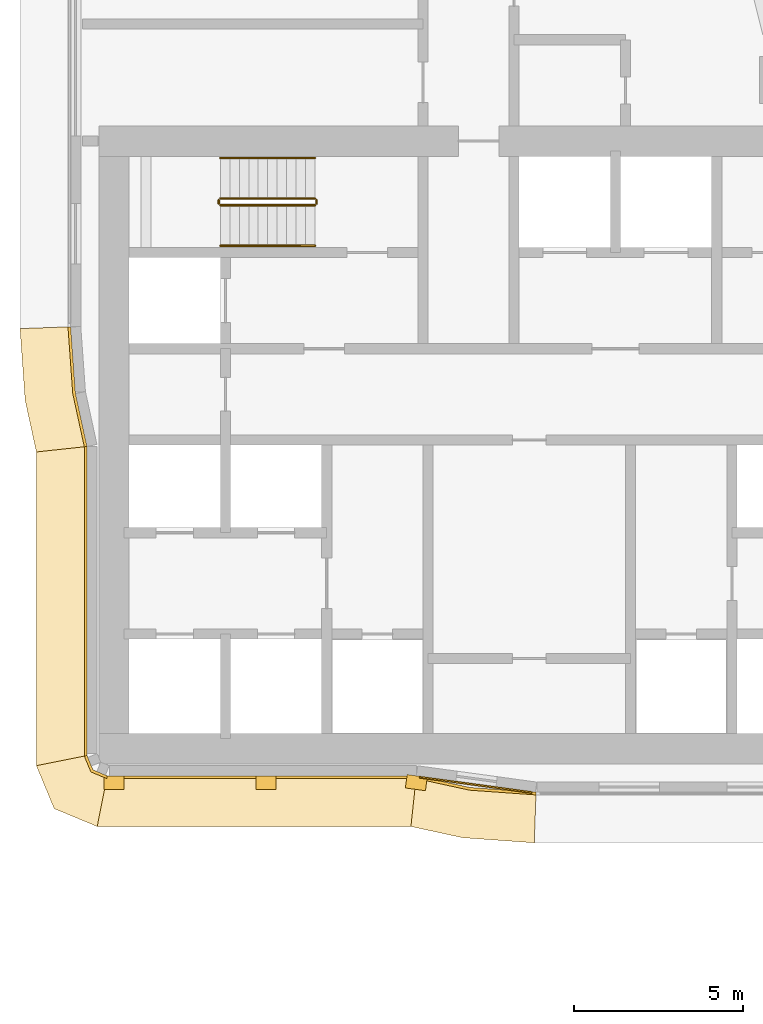
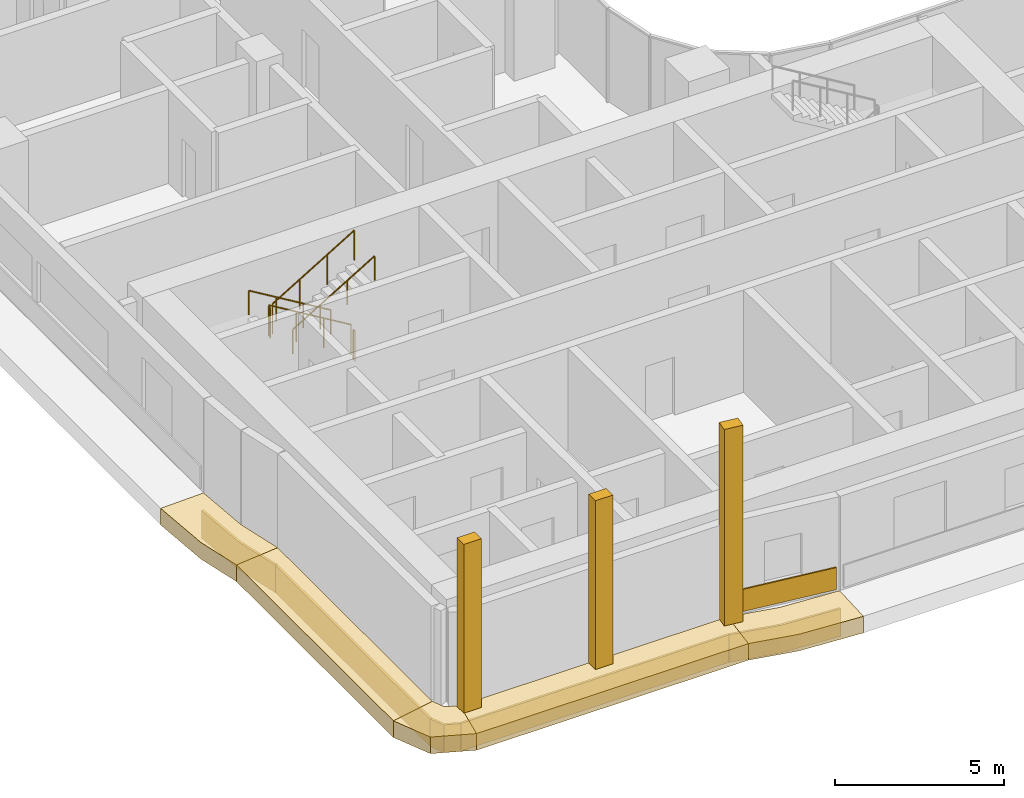
# One storey, part 31 of 39: 14 coverings, 6 railings.
"""IFC4 building model written with IfcOpenShell, lengths in metres."""

from ifc_helpers import new_model, si_unit, direction, frame, origin, origin_2d, place, context, subcontext, project, spatial, polyline, rectangle, circle, outline, extrude, material, layer, layer_set, type_object, element, save


model = new_model("IFC4")

# Units and contexts
model_context = context("Model", 3, precision=1e-05, world=origin(), true_north=direction((0.0, 1.0)))
body_context = subcontext(model_context, "Body", "Model", "MODEL_VIEW")
ifc_project = project(units=[si_unit("LENGTHUNIT", "METRE"), si_unit("AREAUNIT", "SQUARE_METRE"), si_unit("VOLUMEUNIT", "CUBIC_METRE"), si_unit("PLANEANGLEUNIT", "RADIAN"), si_unit("MASSUNIT", "GRAM", prefix="KILO")], contexts=[model_context])

# Site, building, storey
site_placement = place(None, origin())
site = spatial("IfcSite", under=ifc_project, at=site_placement, CompositionType="ELEMENT")
building_placement = place(site_placement, origin())
building = spatial("IfcBuilding", under=site, at=building_placement, Name="Ogive Portal Towers", CompositionType="ELEMENT")
storey_placement = place(building_placement, frame((0.0, 0.0, 44.60009765625)))
storey = spatial("IfcBuildingStorey", under=building, at=storey_placement, Name="L09", CompositionType="ELEMENT", Elevation=44.60009765625)

# Railings
ifc_material_1 = material(Name="Stainless steel balustrade", Category="steel")
railing_type_1 = type_object("IfcRailingType", Name="INT-GUARD", PredefinedType="GUARDRAIL", material=ifc_material_1)
railing_1_placement = place(storey_placement, frame((37.449951171875, 37.800048828125, 0.16796875)))
element("IfcRailing", 1, at=railing_1_placement, inside=storey, type_object=railing_type_1, Name="L09 ST-A1 stair guard 1", PredefinedType="GUARDRAIL", context=body_context, shape_type="SweptSolid", body=[
    extrude(circle(Radius=0.02392578125, at=origin_2d()), frame((0.0, 0.0, 1.076171875), z_axis=(-0.857242210791, 0.0, 0.514913383045), x_axis=(0.0, -1.0, 0.0)), (0.0, 0.0, 1.0), 3.266357421875),
    extrude(circle(Radius=0.02099609375, at=origin_2d()), origin(), (0.0, 0.0, 1.0), 1.052001953125),
    extrude(circle(Radius=0.02099609375, at=origin_2d()), frame((-0.933349609375, 0.0, 0.560546875)), (0.0, 0.0, 1.0), 1.052001953125),
    extrude(circle(Radius=0.02099609375, at=origin_2d()), frame((-1.86669921875, 0.0, 1.121337890625)), (0.0, 0.0, 1.0), 1.052001953125),
    extrude(circle(Radius=0.02099609375, at=origin_2d()), frame((-2.800048828125, 0.0, 1.681884765625)), (0.0, 0.0, 1.0), 1.052001953125),
])
railing_2_placement = place(storey_placement, frame((34.60009765625, 37.75, 1.849853515625)))
element("IfcRailing", 2, at=railing_2_placement, inside=storey, type_object=railing_type_1, Name="L09 ST-A1 stair guard 2", PredefinedType="GUARDRAIL", context=body_context, shape_type="SweptSolid", body=[
    extrude(circle(Radius=0.02392578125, at=origin_2d()), frame((0.0, 0.0, 1.076171875), z_axis=(0.0, -1.0, 0.0), x_axis=(1.0, 0.0, 0.0)), (0.0, 0.0, 1.0), 0.10009765625),
    extrude(circle(Radius=0.02099609375, at=origin_2d()), origin(), (0.0, 0.0, 1.0), 1.052001953125),
    extrude(circle(Radius=0.02099609375, at=origin_2d()), frame((0.0, -0.10009765625, 0.0)), (0.0, 0.0, 1.0), 1.052001953125),
])
railing_3_placement = place(storey_placement, frame((34.64990234375, 37.60009765625, 2.01806640625)))
element("IfcRailing", 3, at=railing_3_placement, inside=storey, type_object=railing_type_1, Name="L09 ST-A1 stair guard 3", PredefinedType="GUARDRAIL", context=body_context, shape_type="SweptSolid", body=[
    extrude(circle(Radius=0.02392578125, at=origin_2d()), frame((0.0, 0.0, 1.076171875), z_axis=(0.857242210791, 0.0, 0.514913383045), x_axis=(0.0, 1.0, 0.0)), (0.0, 0.0, 1.0), 3.266357421875),
    extrude(circle(Radius=0.02099609375, at=origin_2d()), origin(), (0.0, 0.0, 1.0), 1.052001953125),
    extrude(circle(Radius=0.02099609375, at=origin_2d()), frame((0.933349609375, 0.0, 0.560546875)), (0.0, 0.0, 1.0), 1.052001953125),
    extrude(circle(Radius=0.02099609375, at=origin_2d()), frame((1.86669921875, 0.0, 1.121337890625)), (0.0, 0.0, 1.0), 1.052001953125),
    extrude(circle(Radius=0.02099609375, at=origin_2d()), frame((2.800048828125, 0.0, 1.681884765625)), (0.0, 0.0, 1.0), 1.052001953125),
])
railing_4_placement = place(storey_placement, frame((37.5, 37.75, 0.0)))
element("IfcRailing", 4, at=railing_4_placement, inside=storey, type_object=railing_type_1, Name="L09 ST-A1 stair guard 4", PredefinedType="GUARDRAIL", context=body_context, shape_type="SweptSolid", body=[
    extrude(circle(Radius=0.02392578125, at=origin_2d()), frame((0.0, 0.0, 1.076171875), z_axis=(0.0, -1.0, 0.0), x_axis=(1.0, 0.0, 0.0)), (0.0, 0.0, 1.0), 0.10009765625),
    extrude(circle(Radius=0.02099609375, at=origin_2d()), origin(), (0.0, 0.0, 1.0), 1.052001953125),
    extrude(circle(Radius=0.02099609375, at=origin_2d()), frame((0.0, -0.10009765625, 0.0)), (0.0, 0.0, 1.0), 1.052001953125),
])
ifc_material_2 = material(Name="Stainless steel handrail", Category="steel")
railing_type_2 = type_object("IfcRailingType", Name="INT-HANDRAIL", PredefinedType="HANDRAIL", material=ifc_material_2)
railing_5_placement = place(storey_placement, frame((37.449951171875, 39.0, 0.16796875)))
element("IfcRailing", 5, at=railing_5_placement, inside=storey, type_object=railing_type_2, Name="L09 ST-A1 stair handrail 1", PredefinedType="HANDRAIL", context=body_context, shape_type="SweptSolid", body=[
    extrude(circle(Radius=0.02392578125, at=origin_2d()), frame((0.0, 0.0, 0.8759765625), z_axis=(-0.857242210791, 0.0, 0.514913383045), x_axis=(0.0, -1.0, 0.0)), (0.0, 0.0, 1.0), 3.266357421875),
    extrude(circle(Radius=0.02099609375, at=origin_2d()), origin(), (0.0, 0.0, 1.0), 0.851806640625),
    extrude(circle(Radius=0.02099609375, at=origin_2d()), frame((-0.933349609375, 0.0, 0.560546875)), (0.0, 0.0, 1.0), 0.851806640625),
    extrude(circle(Radius=0.02099609375, at=origin_2d()), frame((-1.86669921875, 0.0, 1.121337890625)), (0.0, 0.0, 1.0), 0.851806640625),
    extrude(circle(Radius=0.02099609375, at=origin_2d()), frame((-2.800048828125, 0.0, 1.681884765625)), (0.0, 0.0, 1.0), 0.851806640625),
])
railing_6_placement = place(storey_placement, frame((34.64990234375, 36.39990234375, 2.01806640625)))
element("IfcRailing", 6, at=railing_6_placement, inside=storey, type_object=railing_type_2, Name="L09 ST-A1 stair handrail 2", PredefinedType="HANDRAIL", context=body_context, shape_type="SweptSolid", body=[
    extrude(circle(Radius=0.02392578125, at=origin_2d()), frame((0.0, 0.0, 0.8759765625), z_axis=(0.857242210791, 0.0, 0.514913383045), x_axis=(0.0, 1.0, 0.0)), (0.0, 0.0, 1.0), 3.266357421875),
    extrude(circle(Radius=0.02099609375, at=origin_2d()), origin(), (0.0, 0.0, 1.0), 0.851806640625),
    extrude(circle(Radius=0.02099609375, at=origin_2d()), frame((0.933349609375, 0.0, 0.560546875)), (0.0, 0.0, 1.0), 0.851806640625),
    extrude(circle(Radius=0.02099609375, at=origin_2d()), frame((1.86669921875, 0.0, 1.121337890625)), (0.0, 0.0, 1.0), 0.851806640625),
    extrude(circle(Radius=0.02099609375, at=origin_2d()), frame((2.800048828125, 0.0, 1.681884765625)), (0.0, 0.0, 1.0), 0.851806640625),
])

# Coverings
ifc_material_3 = material(Name="Limestone cladding on lightweight block wall", Category="masonry")
ifc_layer_1 = layer(ifc_material_3, 0.050048828125)
ifc_layer_set_1 = layer_set([ifc_layer_1], Name="SCREEN PERFORATED STONE")
covering_type_1 = type_object("IfcCoveringType", Name="SCREEN PERFORATED STONE", PredefinedType="CLADDING", material=ifc_layer_set_1)
covering_1_placement = place(storey_placement, frame((42.21337890625, 20.43408203125, 0.10009765625), z_axis=(0.0, 0.0, 1.0), x_axis=(0.990777310626, -0.135500261066, 0.0)))
element("IfcCovering", 7, at=covering_1_placement, inside=storey, type_object=covering_type_1, Name="Tracery screen", PredefinedType="CLADDING", context=body_context, shape_type="SweptSolid", body=[
    extrude(rectangle(XDim=3.35888671875, YDim=0.050048828125, at=origin_2d()), origin(), (0.0, 0.0, 1.0), 0.800048828125),
])
ifc_layer_2 = layer(ifc_material_3, 0.39990234375)
ifc_layer_set_2 = layer_set([ifc_layer_2], Name="SPINE PIER STONE")
covering_type_2 = type_object("IfcCoveringType", Name="SPINE PIER STONE", PredefinedType="CLADDING", material=ifc_layer_set_2)
for number, where, z_axis, x_axis, name in (
    (8, (31.5, 20.5, -0.000244140625), (0.0, 0.0, 1.0), (1.0, 0.0, 0.0), "SPINE PIER"),
    (9, (36.0, 20.5, -0.000244140625), (0.0, 0.0, 1.0), (1.0, 0.0, 0.0), "SPINE PIER"),
):
    element("IfcCovering", number, at=place(storey_placement, frame(where, z_axis=z_axis, x_axis=x_axis)), inside=storey, type_object=covering_type_2, Name=name, PredefinedType="CLADDING", context=body_context, shape_type="SweptSolid", body=[
        extrude(rectangle(XDim=0.60009765625, YDim=0.39990234375, at=origin_2d()), origin(), (0.0, 0.0, 1.0), 6.10009765625),
    ])
covering_2_placement = place(storey_placement, frame((40.45263671875, 20.498291015625, -0.000244140625), z_axis=(0.0, 0.0, 1.0), x_axis=(0.990777425438, -0.135499421558, 0.0)))
element("IfcCovering", 10, at=covering_2_placement, inside=storey, type_object=covering_type_2, Name="SPINE PIER", PredefinedType="CLADDING", context=body_context, shape_type="SweptSolid", body=[
    extrude(rectangle(XDim=0.60009765625, YDim=0.39990234375, at=origin_2d()), origin(), (0.0, 0.0, 1.0), 7.10009765625),
])
ifc_layer_3 = layer(ifc_material_3, 0.080078125)
ifc_layer_set_3 = layer_set([ifc_layer_3], Name="STONE SPANDREL 80")
covering_type_3 = type_object("IfcCoveringType", Name="STONE SPANDREL 80", PredefinedType="CLADDING", material=ifc_layer_set_3)
covering_3_placement = place(storey_placement, frame((0.0, 0.0, -1.60009765625)))
element("IfcCovering", 11, at=covering_3_placement, inside=storey, type_object=covering_type_3, Name="Stone spandrel A1-F01", PredefinedType="CLADDING", context=body_context, shape_type="SweptSolid", body=[
    extrude(outline(polyline([(30.699951171875, 30.45361328125), (30.699951171875, 21.300048828125), (30.6201171875, 21.2841796875), (30.6201171875, 30.445068359375), (30.699951171875, 30.45361328125)])), origin(), (0.0, 0.0, 1.0), 1.0),
])
covering_4_placement = place(storey_placement, frame((0.0, 0.0, -1.60009765625)))
element("IfcCovering", 12, at=covering_4_placement, inside=storey, type_object=covering_type_3, Name="Stone spandrel A1-F02", PredefinedType="CLADDING", context=body_context, shape_type="SweptSolid", body=[
    extrude(outline(polyline([(30.699951171875, 21.300048828125), (30.875732421875, 20.875732421875), (31.300048828125, 20.699951171875), (31.2841796875, 20.6201171875), (30.814453125, 20.814453125), (30.6201171875, 21.2841796875), (30.699951171875, 21.300048828125)])), origin(), (0.0, 0.0, 1.0), 1.0),
])
covering_5_placement = place(storey_placement, frame((0.0, 0.0, -1.60009765625)))
element("IfcCovering", 13, at=covering_5_placement, inside=storey, type_object=covering_type_3, Name="Stone spandrel A1-F03", PredefinedType="CLADDING", context=body_context, shape_type="SweptSolid", body=[
    extrude(outline(polyline([(31.300048828125, 20.699951171875), (40.45361328125, 20.699951171875), (40.445068359375, 20.6201171875), (31.2841796875, 20.6201171875), (31.300048828125, 20.699951171875)])), origin(), (0.0, 0.0, 1.0), 1.0),
])
covering_6_placement = place(storey_placement, frame((0.0, 0.0, -1.60009765625)))
element("IfcCovering", 14, at=covering_6_placement, inside=storey, type_object=covering_type_3, Name="Stone spandrel A1-F04", PredefinedType="CLADDING", context=body_context, shape_type="SweptSolid", body=[
    extrude(outline(polyline([(40.45361328125, 20.699951171875), (42.0380859375, 20.355224609375), (44.0, 20.215087890625), (43.9970703125, 20.135009765625), (42.02685546875, 20.27587890625), (40.445068359375, 20.6201171875), (40.45361328125, 20.699951171875)])), origin(), (0.0, 0.0, 1.0), 1.0),
])
covering_7_placement = place(storey_placement, frame((0.0, 0.0, -1.60009765625)))
element("IfcCovering", 15, at=covering_7_placement, inside=storey, type_object=covering_type_3, Name="Stone spandrel A1-F14", PredefinedType="CLADDING", context=body_context, shape_type="SweptSolid", body=[
    extrude(outline(polyline([(30.215087890625, 34.0), (30.355224609375, 32.0380859375), (30.699951171875, 30.45361328125), (30.6201171875, 30.445068359375), (30.27587890625, 32.02685546875), (30.135009765625, 33.9970703125), (30.215087890625, 34.0)])), origin(), (0.0, 0.0, 1.0), 1.0),
])
ifc_layer_4 = layer(ifc_material_3, 0.60009765625)
ifc_layer_set_4 = layer_set([ifc_layer_4], Name="SUNSHADE LIP 600")
covering_type_4 = type_object("IfcCoveringType", Name="SUNSHADE LIP 600", PredefinedType="CLADDING", material=ifc_layer_set_4)
covering_8_placement = place(storey_placement, frame((0.0, 0.0, -0.60009765625)))
element("IfcCovering", 16, at=covering_8_placement, inside=storey, type_object=covering_type_4, Name="Sunshade lip A1-F01", PredefinedType="CLADDING", context=body_context, shape_type="SweptSolid", body=[
    extrude(outline(polyline([(30.699951171875, 30.45361328125), (30.699951171875, 21.300048828125), (29.199951171875, 21.001708984375), (29.199951171875, 30.29248046875), (30.699951171875, 30.45361328125)])), origin(), (0.0, 0.0, 1.0), 0.60009765625),
])
covering_9_placement = place(storey_placement, frame((0.0, 0.0, -0.60009765625)))
element("IfcCovering", 17, at=covering_9_placement, inside=storey, type_object=covering_type_4, Name="Sunshade lip A1-F02", PredefinedType="CLADDING", context=body_context, shape_type="SweptSolid", body=[
    extrude(outline(polyline([(30.699951171875, 21.300048828125), (30.875732421875, 20.875732421875), (31.300048828125, 20.699951171875), (31.001708984375, 19.199951171875), (29.727783203125, 19.727783203125), (29.199951171875, 21.001708984375), (30.699951171875, 21.300048828125)])), origin(), (0.0, 0.0, 1.0), 0.60009765625),
])
covering_10_placement = place(storey_placement, frame((0.0, 0.0, -0.60009765625)))
element("IfcCovering", 18, at=covering_10_placement, inside=storey, type_object=covering_type_4, Name="Sunshade lip A1-F03", PredefinedType="CLADDING", context=body_context, shape_type="SweptSolid", body=[
    extrude(outline(polyline([(31.300048828125, 20.699951171875), (40.45361328125, 20.699951171875), (40.29248046875, 19.199951171875), (31.001708984375, 19.199951171875), (31.300048828125, 20.699951171875)])), origin(), (0.0, 0.0, 1.0), 0.60009765625),
])
covering_11_placement = place(storey_placement, frame((0.0, 0.0, -0.60009765625)))
element("IfcCovering", 19, at=covering_11_placement, inside=storey, type_object=covering_type_4, Name="Sunshade lip A1-F04", PredefinedType="CLADDING", context=body_context, shape_type="SweptSolid", body=[
    extrude(outline(polyline([(40.45361328125, 20.699951171875), (42.0380859375, 20.355224609375), (44.0, 20.215087890625), (43.946533203125, 18.715087890625), (41.82421875, 18.86669921875), (40.29248046875, 19.199951171875), (40.45361328125, 20.699951171875)])), origin(), (0.0, 0.0, 1.0), 0.60009765625),
])
covering_12_placement = place(storey_placement, frame((0.0, 0.0, -0.60009765625)))
element("IfcCovering", 20, at=covering_12_placement, inside=storey, type_object=covering_type_4, Name="Sunshade lip A1-F14", PredefinedType="CLADDING", context=body_context, shape_type="SweptSolid", body=[
    extrude(outline(polyline([(30.215087890625, 34.0), (30.355224609375, 32.0380859375), (30.699951171875, 30.45361328125), (29.199951171875, 30.29248046875), (28.86669921875, 31.82421875), (28.715087890625, 33.946533203125), (30.215087890625, 34.0)])), origin(), (0.0, 0.0, 1.0), 0.60009765625),
])

save(model, "model.ifc")
